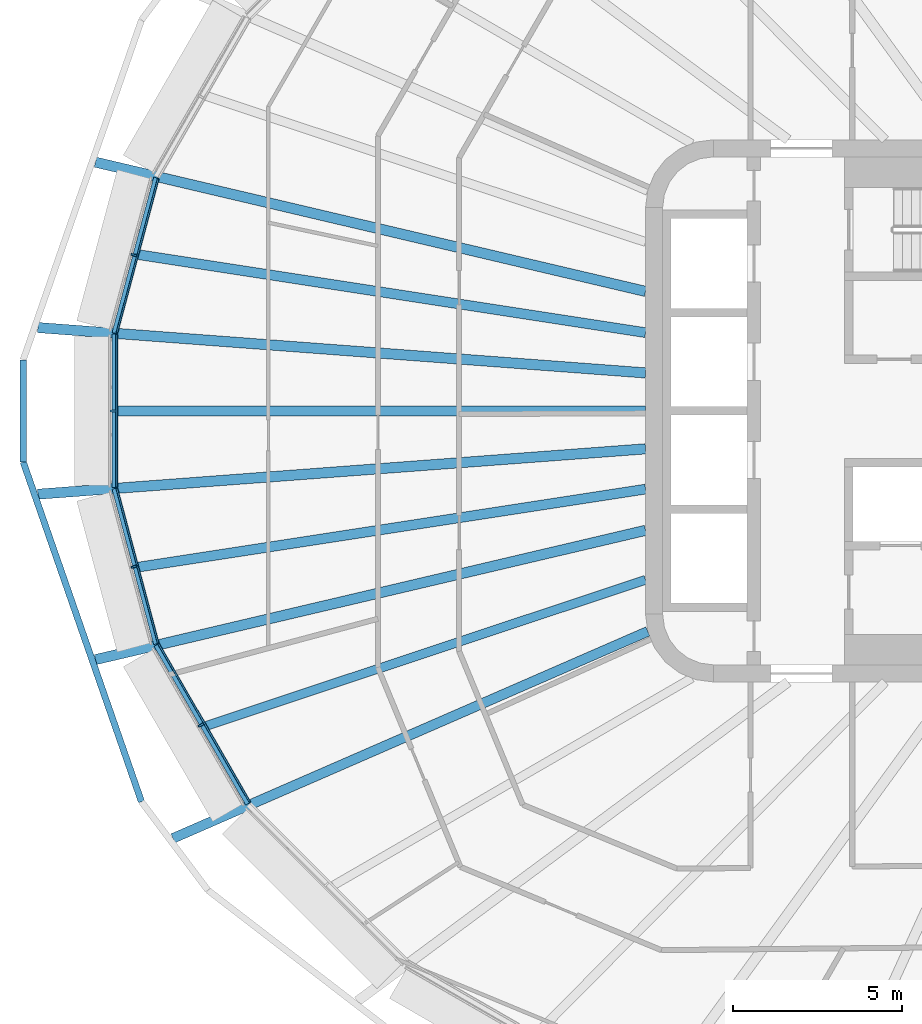
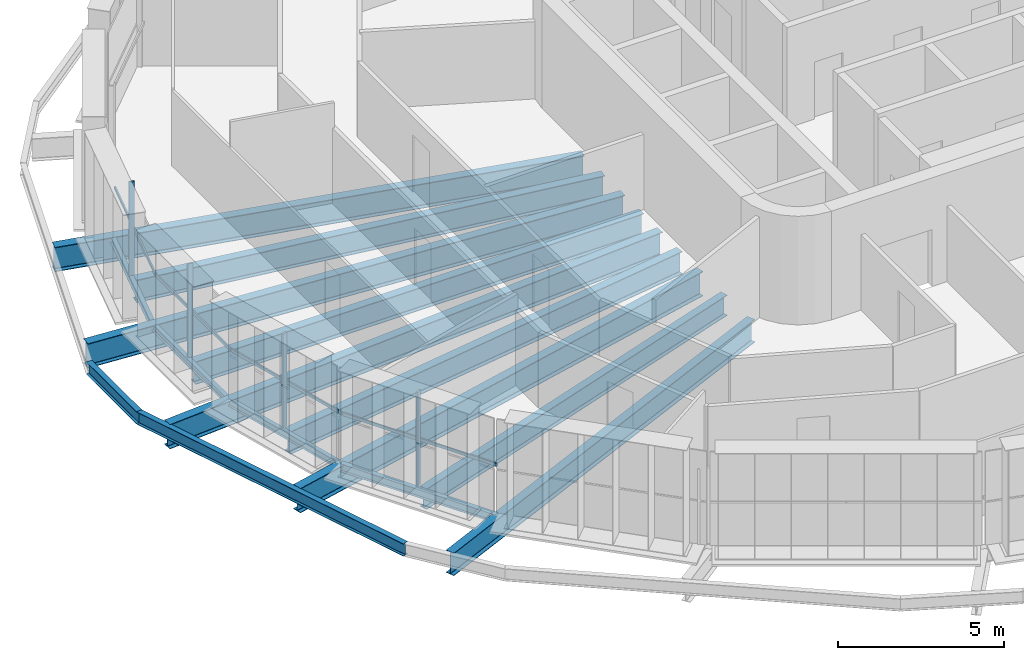
# One storey, part 2 of 23: 15 beams, 8 members, 4 elements without a shape of their own.
"""IFC4 building model written with IfcOpenShell, lengths in metres."""

from ifc_helpers import new_model, si_unit, direction, frame, origin, origin_2d, place, context, subcontext, project, spatial, rectangle, i_section, extrude, material, layer, layer_set, material_profile, profile_set, type_object, element, aggregate, save


model = new_model("IFC4")

# Units and contexts
model_context = context("Model", 3, precision=1e-05, world=origin(), true_north=direction((0.0, 1.0)))
body_context = subcontext(model_context, "Body", "Model", "MODEL_VIEW")
ifc_project = project(units=[si_unit("LENGTHUNIT", "METRE"), si_unit("AREAUNIT", "SQUARE_METRE"), si_unit("VOLUMEUNIT", "CUBIC_METRE"), si_unit("PLANEANGLEUNIT", "RADIAN"), si_unit("MASSUNIT", "GRAM", prefix="KILO")], contexts=[model_context])

# Site, building, storey
site_placement = place(None, origin())
site = spatial("IfcSite", under=ifc_project, at=site_placement, CompositionType="ELEMENT")
building_placement = place(site_placement, origin())
building = spatial("IfcBuilding", under=site, at=building_placement, Name="Sahrelin Media Tower", CompositionType="ELEMENT")
storey_placement = place(building_placement, frame((0.0, 0.0, 185.60009765625)))
storey = spatial("IfcBuildingStorey", under=building, at=storey_placement, Name="L39", CompositionType="ELEMENT", Elevation=185.60009765625)

# Beams
ifc_material_1 = material(Name="Steel S355", Category="steel")
ifc_material_profile_1 = material_profile(ifc_material_1, i_section(OverallWidth=0.14599609375, OverallDepth=0.25146484375, WebThickness=0.006103515625, FlangeThickness=0.008544921875, FilletRadius=0.007568359375, at=origin_2d()), Name="UB 254x146x31")
ifc_profile_set_1 = profile_set([ifc_material_profile_1], Name="Steel S355")
beam_type_1 = type_object("IfcBeamType", Name="Edge beam EB1", PredefinedType="BEAM", material=ifc_profile_set_1)
beam_1_placement = place(storey_placement, frame((-29.445068359375, -6.880615234375, -0.27587890625), z_axis=(-0.258840645059, 0.965920038339, 0.0), x_axis=(-0.965920038339, -0.258840645059, 0.0)))
element("IfcBeam", 1, at=beam_1_placement, inside=storey, type_object=beam_type_1, Name="Edge beam L39-12", PredefinedType="BEAM", context=body_context, shape_type="SweptSolid", body=[
    extrude(i_section(OverallWidth=0.14599609375, OverallDepth=0.25146484375, WebThickness=0.006103515625, FlangeThickness=0.008544921875, FilletRadius=0.007568359375, at=origin_2d()), origin(), (0.0, 0.0, 1.0), 4.746337890625),
])
beam_2_placement = place(storey_placement, frame((-30.67724609375, -2.267578125, -0.27587890625), z_axis=(0.0, 1.0, 0.0), x_axis=(-1.0, 0.0, 0.0)))
element("IfcBeam", 2, at=beam_2_placement, inside=storey, type_object=beam_type_1, Name="Edge beam L39-13", PredefinedType="BEAM", context=body_context, shape_type="SweptSolid", body=[
    extrude(i_section(OverallWidth=0.14599609375, OverallDepth=0.25146484375, WebThickness=0.006103515625, FlangeThickness=0.008544921875, FilletRadius=0.007568359375, at=origin_2d()), origin(), (0.0, 0.0, 1.0), 4.53515625),
])
beam_3_placement = place(storey_placement, frame((-30.673583984375, 2.296142578125, -0.27587890625), z_axis=(0.258840645059, 0.965920038339, 0.0), x_axis=(-0.965920038339, 0.258840645059, 0.0)))
element("IfcBeam", 3, at=beam_3_placement, inside=storey, type_object=beam_type_1, Name="Edge beam L39-14", PredefinedType="BEAM", context=body_context, shape_type="SweptSolid", body=[
    extrude(i_section(OverallWidth=0.14599609375, OverallDepth=0.25146484375, WebThickness=0.006103515625, FlangeThickness=0.008544921875, FilletRadius=0.007568359375, at=origin_2d()), origin(), (0.0, 0.0, 1.0), 4.746337890625),
])
ifc_material_profile_2 = material_profile(ifc_material_1, i_section(OverallWidth=0.1650390625, OverallDepth=0.303466796875, WebThickness=0.006103515625, FlangeThickness=0.01025390625, FilletRadius=0.0087890625, at=origin_2d()), Name="UB 305x165x40")
ifc_profile_set_2 = profile_set([ifc_material_profile_2], Name="Steel S355")
beam_type_2 = type_object("IfcBeamType", Name="Edge beam EB2", PredefinedType="BEAM", material=ifc_profile_set_2)
beam_4_placement = place(storey_placement, frame((-26.728759765625, -11.5927734375, -0.3017578125), z_axis=(-0.500016705875, 0.866015758428, 0.0), x_axis=(-0.866015758428, -0.500016705875, 0.0)))
element("IfcBeam", 4, at=beam_4_placement, inside=storey, type_object=beam_type_2, Name="Edge beam L39-11", PredefinedType="BEAM", context=body_context, shape_type="SweptSolid", body=[
    extrude(i_section(OverallWidth=0.1650390625, OverallDepth=0.303466796875, WebThickness=0.006103515625, FlangeThickness=0.01025390625, FilletRadius=0.0087890625, at=origin_2d()), origin(), (0.0, 0.0, 1.0), 5.410400390625),
])

# Curtain wall, member
ifc_material_2 = material(Name="Champagne anodised aluminium 6063-T6", Category="aluminium")
ifc_layer = layer(ifc_material_2, 0.14990234375)
ifc_layer_set = layer_set([ifc_layer], Name="Tower ribbon curtain wall")
curtain_wall_type = type_object("IfcCurtainWallType", Name="Tower ribbon curtain wall", PredefinedType="NOTDEFINED", material=ifc_layer_set)
curtain_wall_1_placement = place(storey_placement, frame((-30.2041015625, 4.627197265625, 0.0), z_axis=(0.0, 0.0, 1.0), x_axis=(1.0, 0.0, 0.0)))
curtain_wall_1 = element("IfcCurtainWall", 5, at=curtain_wall_1_placement, inside=storey, type_object=curtain_wall_type, Name="L39:CW:L39-11", PredefinedType="NOTDEFINED")
ifc_material_profile_3 = material_profile(ifc_material_2, rectangle(XDim=0.06005859375, YDim=0.175048828125, at=origin_2d()), Name="Mullion 60x175")
ifc_profile_set_3 = profile_set([ifc_material_profile_3], Name="Champagne anodised aluminium 6063-T6")
member_type_1 = type_object("IfcMemberType", Name="Mullion 60x175 CW1B", PredefinedType="MULLION", material=ifc_profile_set_3)
member_1_placement = place(storey_placement, frame((-30.100341796875, 4.599365234375, 0.0), z_axis=(0.0, 0.0, 1.0), x_axis=(-0.25882916024, -0.965923115889, 0.0)))
member_1 = element("IfcMember", 6, at=member_1_placement, type_object=member_type_1, Name="L39:CWM:L39-11", PredefinedType="MULLION", context=body_context, shape_type="SweptSolid", body=[
    extrude(rectangle(XDim=0.06005859375, YDim=0.175048828125, at=origin_2d()), origin(), (0.0, 0.0, 1.0), 3.448486328125),
])

curtain_wall_2_placement = place(storey_placement, frame((-30.827392578125, 0.0, 0.0), z_axis=(0.0, 0.0, 1.0), x_axis=(1.0, 0.0, 0.0)))
curtain_wall_2 = element("IfcCurtainWall", 7, at=curtain_wall_2_placement, inside=storey, type_object=curtain_wall_type, Name="L39:CW:L39-12", PredefinedType="NOTDEFINED")
member_2_placement = place(storey_placement, frame((-30.7197265625, 0.0, 0.0), z_axis=(0.0, 0.0, 1.0), x_axis=(0.0, -1.0, 0.0)))
member_2 = element("IfcMember", 8, at=member_2_placement, type_object=member_type_1, Name="L39:CWM:L39-12", PredefinedType="MULLION", context=body_context, shape_type="SweptSolid", body=[
    extrude(rectangle(XDim=0.06005859375, YDim=0.175048828125, at=origin_2d()), origin(), (0.0, 0.0, 1.0), 3.448486328125),
])

curtain_wall_3_placement = place(storey_placement, frame((-30.2041015625, -4.627197265625, 0.0), z_axis=(0.0, 0.0, 1.0), x_axis=(1.0, 0.0, 0.0)))
curtain_wall_3 = element("IfcCurtainWall", 9, at=curtain_wall_3_placement, inside=storey, type_object=curtain_wall_type, Name="L39:CW:L39-13", PredefinedType="NOTDEFINED")
member_3_placement = place(storey_placement, frame((-30.100341796875, -4.599365234375, 0.0), z_axis=(0.0, 0.0, 1.0), x_axis=(0.25882916024, -0.965923115889, 0.0)))
member_3 = element("IfcMember", 10, at=member_3_placement, type_object=member_type_1, Name="L39:CWM:L39-13", PredefinedType="MULLION", context=body_context, shape_type="SweptSolid", body=[
    extrude(rectangle(XDim=0.06005859375, YDim=0.175048828125, at=origin_2d()), origin(), (0.0, 0.0, 1.0), 3.448486328125),
])

curtain_wall_4_placement = place(storey_placement, frame((-28.211181640625, -9.324951171875, 0.0), z_axis=(0.0, 0.0, 1.0), x_axis=(1.0, 0.0, 0.0)))
curtain_wall_4 = element("IfcCurtainWall", 11, at=curtain_wall_4_placement, inside=storey, type_object=curtain_wall_type, Name="L39:CW:L39-14", PredefinedType="NOTDEFINED")
member_4_placement = place(storey_placement, frame((-28.118408203125, -9.271240234375, 0.0), z_axis=(0.0, 0.0, 1.0), x_axis=(0.499996976998, -0.866027149108, 0.0)))
member_4 = element("IfcMember", 12, at=member_4_placement, type_object=member_type_1, Name="L39:CWM:L39-14", PredefinedType="MULLION", context=body_context, shape_type="SweptSolid", body=[
    extrude(rectangle(XDim=0.06005859375, YDim=0.175048828125, at=origin_2d()), origin(), (0.0, 0.0, 1.0), 3.448486328125),
])

# Beams
ifc_material_profile_4 = material_profile(ifc_material_1, i_section(OverallWidth=0.291748046875, OverallDepth=0.8349609375, WebThickness=0.013916015625, FlangeThickness=0.018798828125, FilletRadius=0.017822265625, at=origin_2d()), Name="UB 838x292x176")
ifc_profile_set_4 = profile_set([ifc_material_profile_4], Name="Steel S355")
beam_type_3 = type_object("IfcBeamType", Name="Radial primary beam PB10", PredefinedType="BEAM", material=ifc_profile_set_4)
beam_5_placement = place(storey_placement, frame((-14.93310546875, -6.5078125, -0.567626953125), z_axis=(-0.916728212301, -0.399511432591, 0.0), x_axis=(0.399511432591, -0.916728212301, 0.0)))
element("IfcBeam", 13, at=beam_5_placement, inside=storey, type_object=beam_type_3, Name="Radial beam L39-15", PredefinedType="BEAM", context=body_context, shape_type="SweptSolid", body=[
    extrude(i_section(OverallWidth=0.291748046875, OverallDepth=0.8349609375, WebThickness=0.013916015625, FlangeThickness=0.018798828125, FilletRadius=0.017822265625, at=origin_2d()), origin(), (0.0, 0.0, 1.0), 15.28662109375),
])
ifc_material_profile_5 = material_profile(ifc_material_1, i_section(OverallWidth=0.30322265625, OverallDepth=0.903076171875, WebThickness=0.01513671875, FlangeThickness=0.020263671875, FilletRadius=0.01904296875, at=origin_2d()), Name="UB 914x305x201")
ifc_profile_set_5 = profile_set([ifc_material_profile_5], Name="Steel S355")
beam_type_4 = type_object("IfcBeamType", Name="Radial primary beam PB11", PredefinedType="BEAM", material=ifc_profile_set_5)
beam_6_placement = place(storey_placement, frame((-15.0, 3.525390625, -0.6015625), z_axis=(-0.973473776111, 0.228798617183, 0.0), x_axis=(-0.228798617183, -0.973473776111, 0.0)))
element("IfcBeam", 14, at=beam_6_placement, inside=storey, type_object=beam_type_4, Name="Radial beam L39-11", PredefinedType="BEAM", context=body_context, shape_type="SweptSolid", body=[
    extrude(i_section(OverallWidth=0.30322265625, OverallDepth=0.903076171875, WebThickness=0.01513671875, FlangeThickness=0.020263671875, FilletRadius=0.01904296875, at=origin_2d()), origin(), (0.0, 0.0, 1.0), 16.677001953125),
])
for number, where, z_axis, x_axis, name in (
    (15, (-15.0, 1.1201171875, -0.6015625), (-0.99722491711, 0.074447731295, 0.0), (-0.074447731295, -0.99722491711, 0.0), "Radial beam L39-12"),
    (16, (-15.0, -1.1201171875, -0.6015625), (-0.99722491711, -0.074447731295, 0.0), (0.074447731295, -0.99722491711, 0.0), "Radial beam L39-13"),
):
    element("IfcBeam", number, at=place(storey_placement, frame(where, z_axis=z_axis, x_axis=x_axis)), inside=storey, type_object=beam_type_4, Name=name, PredefinedType="BEAM", context=body_context, shape_type="SweptSolid", body=[
        extrude(i_section(OverallWidth=0.30322265625, OverallDepth=0.903076171875, WebThickness=0.01513671875, FlangeThickness=0.020263671875, FilletRadius=0.01904296875, at=origin_2d()), origin(), (0.0, 0.0, 1.0), 17.98388671875),
    ])
beam_7_placement = place(storey_placement, frame((-15.0, -3.525390625, -0.6015625), z_axis=(-0.973473776111, -0.228798617183, 0.0), x_axis=(0.228798617183, -0.973473776111, 0.0)))
element("IfcBeam", 17, at=beam_7_placement, inside=storey, type_object=beam_type_4, Name="Radial beam L39-14", PredefinedType="BEAM", context=body_context, shape_type="SweptSolid", body=[
    extrude(i_section(OverallWidth=0.30322265625, OverallDepth=0.903076171875, WebThickness=0.01513671875, FlangeThickness=0.020263671875, FilletRadius=0.01904296875, at=origin_2d()), origin(), (0.0, 0.0, 1.0), 16.677001953125),
])
ifc_material_profile_6 = material_profile(ifc_material_1, i_section(OverallWidth=0.291748046875, OverallDepth=0.8349609375, WebThickness=0.013916015625, FlangeThickness=0.018798828125, FilletRadius=0.017822265625, at=origin_2d()), Name="UB 838x292x176")
ifc_profile_set_6 = profile_set([ifc_material_profile_6], Name="Steel S355")
beam_type_5 = type_object("IfcBeamType", Name="Radial secondary beam SB10", PredefinedType="BEAM", material=ifc_profile_set_6)
beam_8_placement = place(storey_placement, frame((-15.0, 2.308349609375, -0.567626953125), z_axis=(-0.988366481837, 0.152091083176, 0.0), x_axis=(-0.152091083176, -0.988366481837, 0.0)))
element("IfcBeam", 18, at=beam_8_placement, inside=storey, type_object=beam_type_5, Name="Secondary beam L39-11", PredefinedType="BEAM", context=body_context, shape_type="SweptSolid", body=[
    extrude(i_section(OverallWidth=0.291748046875, OverallDepth=0.8349609375, WebThickness=0.013916015625, FlangeThickness=0.018798828125, FilletRadius=0.017822265625, at=origin_2d()), origin(), (0.0, 0.0, 1.0), 15.1533203125),
])
beam_9_placement = place(storey_placement, frame((-15.0, 0.0, -0.567626953125), z_axis=(-1.0, 0.0, 0.0), x_axis=(0.0, -1.0, 0.0)))
element("IfcBeam", 19, at=beam_9_placement, inside=storey, type_object=beam_type_5, Name="Secondary beam L39-12", PredefinedType="BEAM", context=body_context, shape_type="SweptSolid", body=[
    extrude(i_section(OverallWidth=0.291748046875, OverallDepth=0.8349609375, WebThickness=0.013916015625, FlangeThickness=0.018798828125, FilletRadius=0.017822265625, at=origin_2d()), origin(), (0.0, 0.0, 1.0), 15.604248046875),
])
beam_10_placement = place(storey_placement, frame((-15.0, -2.308349609375, -0.567626953125), z_axis=(-0.988366481837, -0.152091083176, 0.0), x_axis=(0.152091083176, -0.988366481837, 0.0)))
element("IfcBeam", 20, at=beam_10_placement, inside=storey, type_object=beam_type_5, Name="Secondary beam L39-13", PredefinedType="BEAM", context=body_context, shape_type="SweptSolid", body=[
    extrude(i_section(OverallWidth=0.291748046875, OverallDepth=0.8349609375, WebThickness=0.013916015625, FlangeThickness=0.018798828125, FilletRadius=0.017822265625, at=origin_2d()), origin(), (0.0, 0.0, 1.0), 15.1533203125),
])
ifc_material_profile_7 = material_profile(ifc_material_1, i_section(OverallWidth=0.26513671875, OverallDepth=0.75390625, WebThickness=0.0126953125, FlangeThickness=0.017578125, FilletRadius=0.0166015625, at=origin_2d()), Name="UB 762x267x147")
ifc_profile_set_7 = profile_set([ifc_material_profile_7], Name="Steel S355")
beam_type_6 = type_object("IfcBeamType", Name="Radial secondary beam SB9", PredefinedType="BEAM", material=ifc_profile_set_7)
beam_11_placement = place(storey_placement, frame((-15.0, -4.986083984375, -0.527099609375), z_axis=(-0.948949304443, -0.315428625204, 0.0), x_axis=(0.315428625204, -0.948949304443, 0.0)))
element("IfcBeam", 21, at=beam_11_placement, inside=storey, type_object=beam_type_6, Name="Secondary beam L39-14", PredefinedType="BEAM", context=body_context, shape_type="SweptSolid", body=[
    extrude(i_section(OverallWidth=0.26513671875, OverallDepth=0.75390625, WebThickness=0.0126953125, FlangeThickness=0.017578125, FilletRadius=0.0166015625, at=origin_2d()), origin(), (0.0, 0.0, 1.0), 13.657958984375),
])
ifc_material_profile_8 = material_profile(ifc_material_1, i_section(OverallWidth=0.1904296875, OverallDepth=0.45703125, WebThickness=0.009033203125, FlangeThickness=0.014404296875, FilletRadius=0.01025390625, at=origin_2d()), Name="UB 457x191x74")
ifc_profile_set_8 = profile_set([ifc_material_profile_8], Name="Steel S355")
beam_type_7 = type_object("IfcBeamType", Name="Tie chord TC5", PredefinedType="BEAM", material=ifc_profile_set_8)
beam_12_placement = place(storey_placement, frame((-33.3662109375, 1.507080078125, -0.378662109375), z_axis=(0.0, -1.0, 0.0), x_axis=(1.0, 0.0, 0.0)))
element("IfcBeam", 22, at=beam_12_placement, inside=storey, type_object=beam_type_7, Name="Tie chord L39-12", PredefinedType="BEAM", context=body_context, shape_type="SweptSolid", body=[
    extrude(i_section(OverallWidth=0.1904296875, OverallDepth=0.45703125, WebThickness=0.009033203125, FlangeThickness=0.014404296875, FilletRadius=0.01025390625, at=origin_2d()), origin(), (0.0, 0.0, 1.0), 3.01416015625),
])
beam_13_placement = place(storey_placement, frame((-33.3662109375, -1.507080078125, -0.378662109375), z_axis=(0.3287533588, -0.944415813653, 0.0), x_axis=(0.944415813653, 0.3287533588, 0.0)))
element("IfcBeam", 23, at=beam_13_placement, inside=storey, type_object=beam_type_7, Name="Tie chord L39-13", PredefinedType="BEAM", context=body_context, shape_type="SweptSolid", body=[
    extrude(i_section(OverallWidth=0.1904296875, OverallDepth=0.45703125, WebThickness=0.009033203125, FlangeThickness=0.014404296875, FilletRadius=0.01025390625, at=origin_2d()), origin(), (0.0, 0.0, 1.0), 10.618896484375),
])

# Member
ifc_material_profile_9 = material_profile(ifc_material_2, rectangle(XDim=0.050048828125, YDim=0.110107421875, at=origin_2d()), Name="Transom 50x110")
ifc_profile_set_9 = profile_set([ifc_material_profile_9], Name="Champagne anodised aluminium 6063-T6")
member_type_2 = type_object("IfcMemberType", Name="Transom 50x110 CW1B", PredefinedType="USERDEFINED", material=ifc_profile_set_9)
member_5_placement = place(storey_placement, frame((-29.381591796875, 6.847412109375, 1.599853515625), z_axis=(-0.258803380373, -0.965930023505, 0.0), x_axis=(0.965930023505, -0.258803380373, 0.0)))
member_5 = element("IfcMember", 24, at=member_5_placement, type_object=member_type_2, Name="L39:CWT:L39-11", ObjectType="TRANSOM", PredefinedType="USERDEFINED", context=body_context, shape_type="SweptSolid", body=[
    extrude(rectangle(XDim=0.050048828125, YDim=0.110107421875, at=origin_2d()), origin(), (0.0, 0.0, 1.0), 4.71484375),
])

aggregate(curtain_wall_1, [member_1, member_5])

member_6_placement = place(storey_placement, frame((-30.607421875, 2.251708984375, 1.599853515625), z_axis=(0.0, -1.0, 0.0), x_axis=(1.0, 0.0, 0.0)))
member_6 = element("IfcMember", 25, at=member_6_placement, type_object=member_type_2, Name="L39:CWT:L39-12", ObjectType="TRANSOM", PredefinedType="USERDEFINED", context=body_context, shape_type="SweptSolid", body=[
    extrude(rectangle(XDim=0.050048828125, YDim=0.110107421875, at=origin_2d()), origin(), (0.0, 0.0, 1.0), 4.50341796875),
])

aggregate(curtain_wall_2, [member_2, member_6])

member_7_placement = place(storey_placement, frame((-30.601806640625, -2.293212890625, 1.599853515625), z_axis=(0.258803380373, -0.965930023505, 0.0), x_axis=(0.965930023505, 0.258803380373, 0.0)))
member_7 = element("IfcMember", 26, at=member_7_placement, type_object=member_type_2, Name="L39:CWT:L39-13", ObjectType="TRANSOM", PredefinedType="USERDEFINED", context=body_context, shape_type="SweptSolid", body=[
    extrude(rectangle(XDim=0.050048828125, YDim=0.110107421875, at=origin_2d()), origin(), (0.0, 0.0, 1.0), 4.71484375),
])

aggregate(curtain_wall_3, [member_3, member_7])

member_8_placement = place(storey_placement, frame((-29.365478515625, -6.8857421875, 1.599853515625), z_axis=(0.499985686398, -0.866033667589, 0.0), x_axis=(0.866033667589, 0.499985686398, 0.0)))
member_8 = element("IfcMember", 27, at=member_8_placement, type_object=member_type_2, Name="L39:CWT:L39-14", ObjectType="TRANSOM", PredefinedType="USERDEFINED", context=body_context, shape_type="SweptSolid", body=[
    extrude(rectangle(XDim=0.050048828125, YDim=0.110107421875, at=origin_2d()), origin(), (0.0, 0.0, 1.0), 5.379150390625),
])

aggregate(curtain_wall_4, [member_4, member_8])

save(model, "model.ifc")
